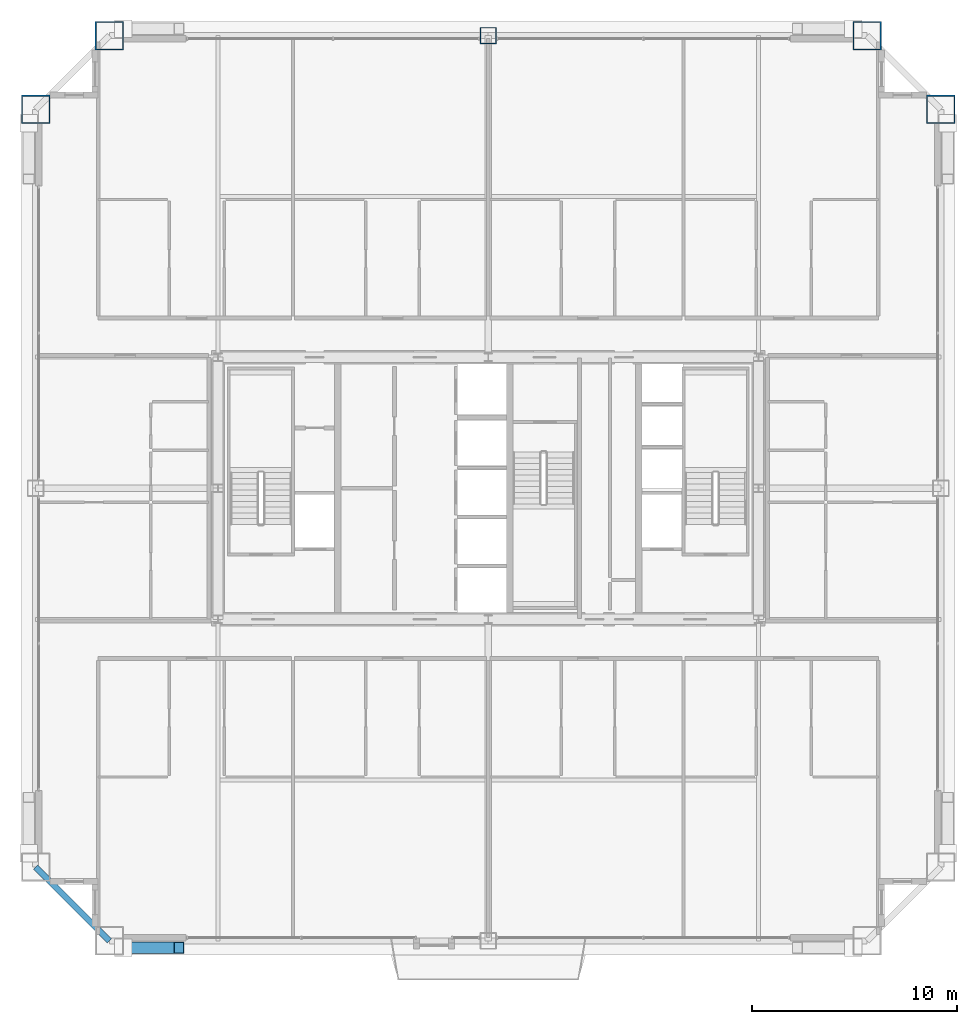
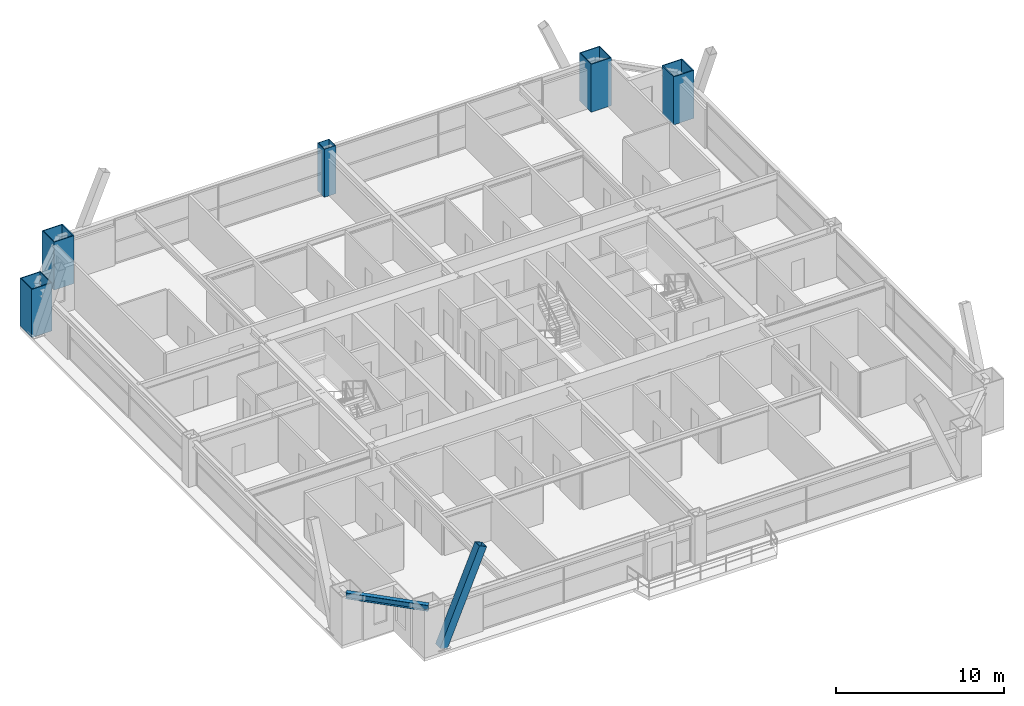
# One storey, part 3 of 42: 5 columns, 1 beam, 1 member.
"""IFC4 building model written with IfcOpenShell, lengths in metres."""

from ifc_helpers import new_model, si_unit, direction, frame, origin, origin_2d, place, context, subcontext, project, spatial, hollow_rectangle, i_section, extrude, source, transform, mapped, material, material_profile, profile_set, type_object, element, save


model = new_model("IFC4")

# Units and contexts
model_context = context("Model", 3, precision=1e-05, world=origin(), true_north=direction((0.0, 1.0)))
body_context = subcontext(model_context, "Body", "Model", "MODEL_VIEW")
ifc_project = project(units=[si_unit("LENGTHUNIT", "METRE"), si_unit("AREAUNIT", "SQUARE_METRE"), si_unit("VOLUMEUNIT", "CUBIC_METRE"), si_unit("PLANEANGLEUNIT", "RADIAN"), si_unit("MASSUNIT", "GRAM", prefix="KILO"), si_unit("THERMODYNAMICTEMPERATUREUNIT", "KELVIN"), si_unit("POWERUNIT", "WATT")], contexts=[model_context])

# Site, building, storey
site_placement = place(None, origin())
site = spatial("IfcSite", under=ifc_project, at=site_placement, CompositionType="ELEMENT")
building_placement = place(site_placement, origin())
building = spatial("IfcBuilding", under=site, at=building_placement, Name="Yuzanri Waterfront Tower", CompositionType="ELEMENT")
storey_placement = place(building_placement, frame((0.0, 0.0, 184.5)))
storey = spatial("IfcBuildingStorey", under=building, at=storey_placement, Name="L48", CompositionType="ELEMENT", Elevation=184.5)

# Columns
ifc_material_1 = material(Name="Steel Q420GJC", Category="steel")
ifc_material_profile_1 = material_profile(ifc_material_1, hollow_rectangle(XDim=1.39990234375, YDim=1.39990234375, WallThickness=0.06005859375, at=origin_2d()), Name="RHS 1400x1400x60")
ifc_profile_set_1 = profile_set([ifc_material_profile_1], Name="Steel Q420GJC")
column_type_1 = type_object("IfcColumnType", Name="Mega Column Q420GJC RHS 1400x1400x60", PredefinedType="COLUMN", material=ifc_profile_set_1)
shared_shape_1 = source(origin(), body_context, "Body", "SweptSolid", [
    extrude(hollow_rectangle(XDim=1.39990234375, YDim=1.39990234375, WallThickness=0.06005859375, at=origin_2d()), origin(), (0.0, 0.0, 1.0), 3.5),
])
for number, where, z_axis, x_axis, name in (
    (1, (18.5, 47.89990234375, 0.0), (0.0, 0.0, 1.0), (1.0, 0.0, 0.0), "L48 Perimeter Mega Column N1"),
    (2, (55.5, 47.89990234375, 0.0), (0.0, 0.0, 1.0), (1.0, 0.0, 0.0), "L48 Perimeter Mega Column N3"),
    (3, (14.89990234375, 44.300048828125, 0.0), (0.0, 0.0, 1.0), (1.0, 0.0, 0.0), "L48 Perimeter Mega Column W3"),
    (4, (59.10009765625, 44.300048828125, 0.0), (0.0, 0.0, 1.0), (1.0, 0.0, 0.0), "L48 Perimeter Mega Column E3"),
):
    element("IfcColumn", number, at=place(storey_placement, frame(where, z_axis=z_axis, x_axis=x_axis)), inside=storey, type_object=column_type_1, Name=name, PredefinedType="COLUMN", context=body_context, shape_type="MappedRepresentation", body=[
        mapped(shared_shape_1, transform((0.0, 0.0, 0.0), scale=1.0)),
    ])
ifc_material_2 = material(Name="Steel Q390GJC", Category="steel")
ifc_material_profile_2 = material_profile(ifc_material_2, hollow_rectangle(XDim=0.800048828125, YDim=0.800048828125, WallThickness=0.035888671875, at=origin_2d()), Name="RHS 800x800x36")
ifc_profile_set_2 = profile_set([ifc_material_profile_2], Name="Steel Q390GJC")
column_type_2 = type_object("IfcColumnType", Name="Frame Column Q390GJC RHS 800x800x36", PredefinedType="COLUMN", material=ifc_profile_set_2)
shared_shape_2 = source(origin(), body_context, "Body", "SweptSolid", [
    extrude(hollow_rectangle(XDim=0.800048828125, YDim=0.800048828125, WallThickness=0.035888671875, at=origin_2d()), origin(), (0.0, 0.0, 1.0), 3.5),
])
column_placement = place(storey_placement, frame((37.0, 47.89990234375, 0.0), z_axis=(0.0, 0.0, 1.0), x_axis=(1.0, 0.0, 0.0)))
element("IfcColumn", 5, at=column_placement, inside=storey, type_object=column_type_2, Name="L48 Perimeter Frame Column N2", PredefinedType="COLUMN", context=body_context, shape_type="MappedRepresentation", body=[
    mapped(shared_shape_2, transform((0.0, 0.0, 0.0), scale=1.0)),
])

# Beam
ifc_material_3 = material(Name="Steel Q355B", Category="steel")
ifc_material_profile_3 = material_profile(ifc_material_3, i_section(OverallWidth=0.300048828125, OverallDepth=0.43994140625, WebThickness=0.010986328125, FlangeThickness=0.01806640625, at=origin_2d()), Name="HM 440x300x11x18")
ifc_profile_set_3 = profile_set([ifc_material_profile_3], Name="Steel Q355B")
beam_type = type_object("IfcBeamType", Name="Perimeter Spandrel Q355B HM 440x300", PredefinedType="SPANDREL", material=ifc_profile_set_3)
shared_shape_3 = source(origin(), body_context, "Body", "SweptSolid", [
    extrude(i_section(OverallWidth=0.300048828125, OverallDepth=0.43994140625, WebThickness=0.010986328125, FlangeThickness=0.01806640625, at=origin_2d()), origin(), (0.0, 0.0, 1.0), 5.09130859375),
])
beam_placement = place(storey_placement, frame((14.89990234375, 7.300048828125, 3.06005859375), z_axis=(0.707106781187, -0.707106781187, 0.0), x_axis=(0.707106781187, 0.707106781187, 0.0)))
element("IfcBeam", 6, at=beam_placement, inside=storey, type_object=beam_type, Name="L48 Perimeter Spandrel W1-S1", PredefinedType="SPANDREL", context=body_context, shape_type="MappedRepresentation", body=[
    mapped(shared_shape_3, transform((0.0, 0.0, 0.0), scale=1.0)),
])

# Member
ifc_material_4 = material(Name="Steel Q390GJC", Category="steel")
ifc_material_profile_4 = material_profile(ifc_material_4, hollow_rectangle(XDim=0.550048828125, YDim=0.550048828125, WallThickness=0.02490234375, at=origin_2d()), Name="RHS 550x550x25")
ifc_profile_set_4 = profile_set([ifc_material_profile_4], Name="Steel Q390GJC")
member_type = type_object("IfcMemberType", Name="Mega Brace Mid Q390GJC RHS 550x550x25", PredefinedType="BRACE", material=ifc_profile_set_4)
shared_shape_4 = source(origin(), body_context, "Body", "SweptSolid", [
    extrude(hollow_rectangle(XDim=0.550048828125, YDim=0.550048828125, WallThickness=0.02490234375, at=origin_2d()), origin(), (0.0, 0.0, 1.0), 7.046142578125),
])
member_placement = place(storey_placement, frame((19.179931640625, 3.360107421875, 0.179931640625), z_axis=(0.386022211732, 0.0, 0.922489486146), x_axis=(0.0, 1.0, 0.0)))
element("IfcMember", 7, at=member_placement, inside=storey, type_object=member_type, Name="L48-L49 Perimeter Mega-Brace S-L", PredefinedType="BRACE", context=body_context, shape_type="MappedRepresentation", body=[
    mapped(shared_shape_4, transform((0.0, 0.0, 0.0), scale=1.0)),
])

save(model, "model.ifc")
